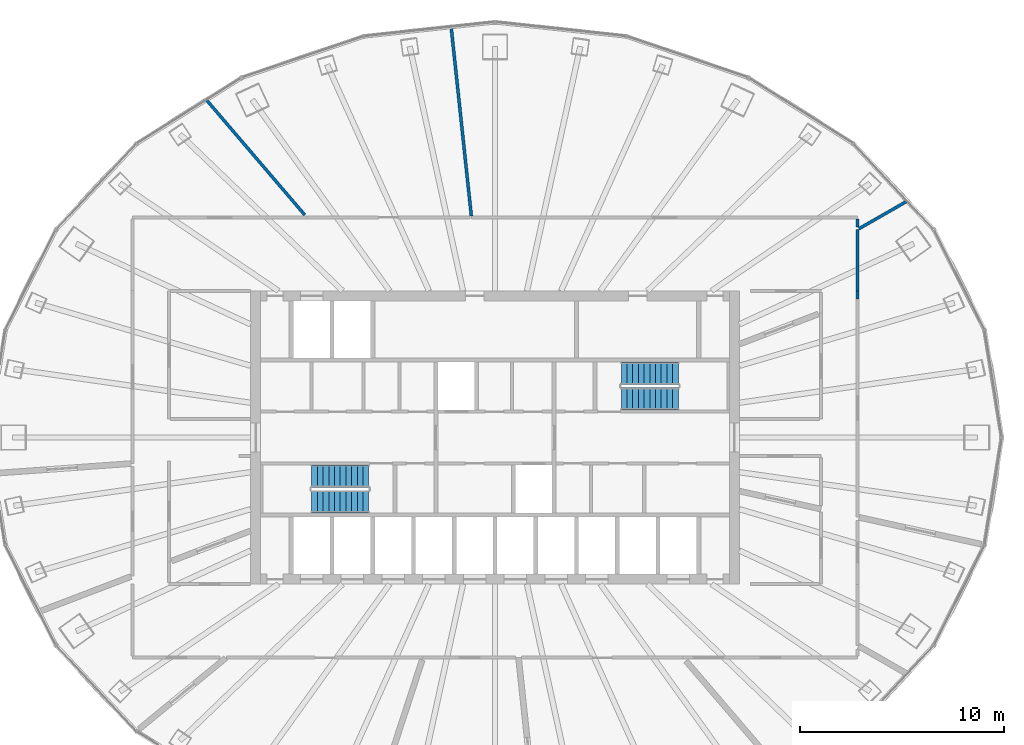
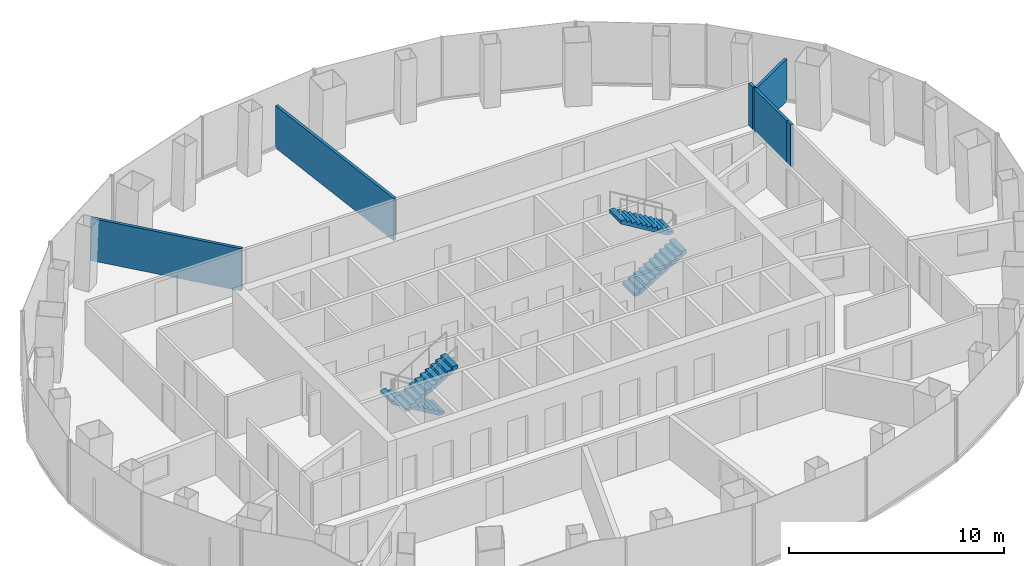
# One storey, part 11 of 12: 6 walls, 4 stair flights, 2 elements without a shape of their own.
"""IFC4 building model written with IfcOpenShell, lengths in metres."""

import ifcopenshell
import ifcopenshell.guid

model = None  # the IFC model being written
_history = None  # IfcOwnerHistory: only IFC2X3 demands one
_inside = {}  # id of a spatial element -> (the spatial element, [elements in it])
_under = {}  # id of a project, library or spatial element -> (it, [spatial elements below it])
_declared = {}  # id of a project -> (the project, [libraries it declares])
_typed = {}  # id of a type object -> (the type object, [elements of that type])
_made_of = {}  # id of a material, layer set ... -> (it, [elements and type objects made of it])


def new_model(schema):
    """Start an empty IFC model of exactly this schema.

    Asked for "IFC4X3", IfcOpenShell would pick the latest addendum, in which some entities
    have other attributes; the version numbers below select the first issue.
    IFC2X3 requires an IfcOwnerHistory on every rooted entity: one is made here for all.
    """
    global model, _history
    if schema == "IFC4X3":
        model = ifcopenshell.file(schema_version=(4, 3, 0, 0))
    else:
        model = ifcopenshell.file(schema=schema)
    _inside.clear()
    _under.clear()
    _declared.clear()
    _typed.clear()
    _made_of.clear()
    _history = None
    if model.schema == "IFC2X3":
        org = make("IfcOrganization", Name="unknown")
        user = make(
            "IfcPersonAndOrganization",
            ThePerson=make("IfcPerson", FamilyName="unknown"),
            TheOrganization=org,
        )
        app = make(
            "IfcApplication",
            ApplicationDeveloper=org,
            Version="unknown",
            ApplicationFullName="unknown",
            ApplicationIdentifier="unknown",
        )
        _history = make(
            "IfcOwnerHistory",
            OwningUser=user,
            OwningApplication=app,
            ChangeAction="ADDED",
            CreationDate=0,
        )
    return model


def make(cls, **values):
    """One entity of the class cls with the attributes given. An attribute that is None is left unset."""
    return model.create_entity(
        cls, **{name: value for name, value in values.items() if value is not None}
    )


def rooted(cls, **values):
    """An entity with a GlobalId (a new one), such as an element, a storey or a relation."""
    return make(cls, GlobalId=ifcopenshell.guid.new(), OwnerHistory=_history, **values)


def si_unit(unit_type, name, prefix=None):
    """IfcSIUnit, for example si_unit("LENGTHUNIT", "METRE", prefix="MILLI")."""
    return make("IfcSIUnit", UnitType=unit_type, Prefix=prefix, Name=name)


def assignment(units):
    """IfcUnitAssignment: the units of a project."""
    return None if units is None else make("IfcUnitAssignment", Units=units)


def point(xyz):
    """IfcCartesianPoint."""
    return None if xyz is None else make("IfcCartesianPoint", Coordinates=xyz)


def direction(xyz):
    """IfcDirection."""
    return None if xyz is None else make("IfcDirection", DirectionRatios=xyz)


def frame(location, z_axis=None, x_axis=None):
    """IfcAxis2Placement3D, a coordinate frame: its origin and axes. An axis left out is left unset."""
    return make(
        "IfcAxis2Placement3D",
        Location=point(location),
        Axis=direction(z_axis),
        RefDirection=direction(x_axis),
    )


def frame_2d(location, x_axis=None):
    """IfcAxis2Placement2D, a coordinate frame in the plane: its origin and x axis."""
    return make(
        "IfcAxis2Placement2D", Location=point(location), RefDirection=direction(x_axis)
    )


def origin():
    """The frame at (0, 0, 0) with its axes left unset."""
    return frame((0.0, 0.0, 0.0))


def place(relative_to, where):
    """IfcLocalPlacement: puts the frame where relative to a parent placement (None: the world)."""
    return make(
        "IfcLocalPlacement", PlacementRelTo=relative_to, RelativePlacement=where
    )


def context(
    kind, dimensions, precision=None, world=None, true_north=None, identifier=None
):
    """IfcGeometricRepresentationContext, for example the 3D "Model" context."""
    return make(
        "IfcGeometricRepresentationContext",
        ContextIdentifier=identifier,
        ContextType=kind,
        CoordinateSpaceDimension=dimensions,
        Precision=precision,
        WorldCoordinateSystem=world,
        TrueNorth=true_north,
    )


def subcontext(parent, identifier, kind, view, scale=None):
    """IfcGeometricRepresentationSubContext, for example "Body" below "Model"."""
    return make(
        "IfcGeometricRepresentationSubContext",
        ContextIdentifier=identifier,
        ContextType=kind,
        ParentContext=parent,
        TargetScale=scale,
        TargetView=view,
    )


def project(units=None, contexts=None):
    """IfcProject with its units and contexts."""
    return rooted(
        "IfcProject",
        Name="project",
        RepresentationContexts=contexts,
        UnitsInContext=assignment(units),
    )


def spatial(cls, under=None, at=None, **own):
    """A site, building, storey or space (cls), placed at a placement, below another one or the project."""
    s = rooted(cls, ObjectPlacement=at, **own)
    if under is not None:
        _under.setdefault(under.id(), (under, []))[1].append(s)
    return s


def polyline(points):
    """IfcPolyline through the points."""
    return make("IfcPolyline", Points=[point(p) for p in points])


def profile(cls, at=None, kind="AREA", **sizes):
    """A parametric profile (cls). Its sizes go by their IFC names, for example OverallWidth=200.0."""
    return make(cls, ProfileType=kind, Position=at, **sizes)


def rectangle(**sizes):
    """IfcRectangleProfileDef."""
    return profile("IfcRectangleProfileDef", **sizes)


def outline(outer, holes=None, kind="AREA"):
    """IfcArbitraryClosedProfileDef: a profile drawn as a closed curve; with holes, ...WithVoids."""
    if holes is None:
        return make("IfcArbitraryClosedProfileDef", ProfileType=kind, OuterCurve=outer)
    return make(
        "IfcArbitraryProfileDefWithVoids",
        ProfileType=kind,
        OuterCurve=outer,
        InnerCurves=holes,
    )


def extrude(swept, where, along, depth):
    """IfcExtrudedAreaSolid: the profile swept, set in the frame where, extruded along a direction by depth."""
    return make(
        "IfcExtrudedAreaSolid",
        SweptArea=swept,
        Position=where,
        ExtrudedDirection=direction(along),
        Depth=depth,
    )


def shape(context_of_items, identifier, shape_type, items):
    """IfcShapeRepresentation: the items that make up one representation, for example the "Body"."""
    return make(
        "IfcShapeRepresentation",
        ContextOfItems=context_of_items,
        RepresentationIdentifier=identifier,
        RepresentationType=shape_type,
        Items=items,
    )


def material(Name=None, Category=None):
    """IfcMaterial."""
    return make("IfcMaterial", Name=Name, Category=Category)


def layer(
    of_material, thickness, ventilated=None, Name=None, Category=None, Priority=None
):
    """IfcMaterialLayer: one layer of a wall or slab, of a material (None: an air gap)."""
    return make(
        "IfcMaterialLayer",
        Material=of_material,
        LayerThickness=thickness,
        IsVentilated=ventilated,
        Name=Name,
        Category=Category,
        Priority=Priority,
    )


def layer_set(layers, Name=None):
    """IfcMaterialLayerSet."""
    return make("IfcMaterialLayerSet", MaterialLayers=layers, LayerSetName=Name)


def made_of(thing, what):
    """Note that an element or type object is made of a material, layer set ...; save() writes the relation."""
    if what is not None:
        _made_of.setdefault(what.id(), (what, []))[1].append(thing)
    return thing


def type_object(cls, material=None, **own):
    """A type object (cls), such as IfcWallType, which elements share."""
    return made_of(rooted(cls, **own), material)


def element(
    cls,
    number,
    at=None,
    inside=None,
    cuts=None,
    type_object=None,
    material=None,
    context=None,
    identifier="Body",
    shape_type=None,
    held_by="IfcProductDefinitionShape",
    body=None,
    shapes=None,
    **own,
):
    """One element of the class cls, such as IfcWall. Its Tag is "e" and its number.

    at: its placement. inside: the storey or other place that contains it. cuts: it is an
    opening in that element (IfcRelVoidsElement). A single representation is given by context,
    identifier, shape_type and body (its items); several are given by shapes. held_by: the class
    of the entity that holds the representations. save() writes the other relations.
    """
    e = rooted(cls, Tag="e%d" % number, ObjectPlacement=at, **own)
    if body is not None:
        shapes = [shape(context, identifier, shape_type, body)]
    if shapes is not None:
        e.Representation = make(held_by, Representations=shapes)
    if inside is not None:
        _inside.setdefault(inside.id(), (inside, []))[1].append(e)
    if cuts is not None:
        rooted(
            "IfcRelVoidsElement", RelatingBuildingElement=cuts, RelatedOpeningElement=e
        )
    if type_object is not None:
        _typed.setdefault(type_object.id(), (type_object, []))[1].append(e)
    return made_of(e, material)


def aggregate(whole, parts):
    """IfcRelAggregates: a whole, such as a stair, and the parts it consists of."""
    return rooted("IfcRelAggregates", RelatingObject=whole, RelatedObjects=parts)


def save(model, path):
    """Write the relations noted so far, then the file.

    IfcRelAggregates (storeys below a building ...), IfcRelContainedInSpatialStructure (elements
    in a storey), IfcRelDefinesByType, IfcRelAssociatesMaterial and IfcRelDeclares: one each for
    every whole, place, type object, material and project.
    """
    for whole, parts in _under.values():
        aggregate(whole, parts)
    for where, things in _inside.values():
        rooted(
            "IfcRelContainedInSpatialStructure",
            RelatedElements=things,
            RelatingStructure=where,
        )
    for kind, things in _typed.values():
        rooted("IfcRelDefinesByType", RelatedObjects=things, RelatingType=kind)
    for what, things in _made_of.values():
        rooted("IfcRelAssociatesMaterial", RelatedObjects=things, RelatingMaterial=what)
    for by, libraries in _declared.values():
        rooted("IfcRelDeclares", RelatingContext=by, RelatedDefinitions=libraries)
    model.write(path)


model = new_model("IFC4")

# Units and contexts
model_context = context("Model", 3, precision=1e-05, world=origin(), true_north=direction((0.0, 1.0)))
body_context = subcontext(model_context, "Body", "Model", "MODEL_VIEW")
ifc_project = project(units=[si_unit("LENGTHUNIT", "METRE"), si_unit("AREAUNIT", "SQUARE_METRE"), si_unit("VOLUMEUNIT", "CUBIC_METRE"), si_unit("PLANEANGLEUNIT", "RADIAN"), si_unit("MASSUNIT", "GRAM", prefix="KILO")], contexts=[model_context])

# Site, building, storey
site_placement = place(None, origin())
site = spatial("IfcSite", under=ifc_project, at=site_placement, CompositionType="ELEMENT")
building_placement = place(site_placement, origin())
building = spatial("IfcBuilding", under=site, at=building_placement, Name="Siaravel Broadcast Tower", CompositionType="ELEMENT")
storey_placement = place(building_placement, frame((0.0, 0.0, 137.800048828125)))
storey = spatial("IfcBuildingStorey", under=building, at=storey_placement, Name="L33", CompositionType="ELEMENT", Elevation=137.800048828125)

# Walls
ifc_material_1 = material(Name="Gypsum board partition", Category="gypsum")
ifc_layer_1 = layer(ifc_material_1, 0.14990234375)
ifc_layer_set_1 = layer_set([ifc_layer_1], Name="Gypsum board partition")
wall_type_1 = type_object("IfcWallType", Name="Corridor wall 150", PredefinedType="PARTITIONING", material=ifc_layer_set_1)
wall_1_placement = place(storey_placement, frame((17.800048828125, 7.18798828125, 0.0), z_axis=(0.0, 0.0, 1.0), x_axis=(0.0, 1.0, 0.0)))
element("IfcWall", 1, at=wall_1_placement, inside=storey, type_object=wall_type_1, Name="L33 partition 39", PredefinedType="PARTITIONING", context=body_context, shape_type="SweptSolid", body=[
    extrude(rectangle(XDim=3.021240234375, YDim=0.14990234375, at=frame_2d((1.5107421875, 0.0))), origin(), (0.0, 0.0, 1.0), 2.39990234375),
])
wall_2_placement = place(storey_placement, frame((17.800048828125, 10.3408203125, 0.0), z_axis=(0.0, 0.0, 1.0), x_axis=(0.0, 1.0, 0.0)))
element("IfcWall", 2, at=wall_2_placement, inside=storey, type_object=wall_type_1, Name="L33 partition 46", PredefinedType="PARTITIONING", context=body_context, shape_type="SweptSolid", body=[
    extrude(rectangle(XDim=0.382080078125, YDim=0.14990234375, at=frame_2d((0.19091796875, 0.0))), origin(), (0.0, 0.0, 1.0), 2.39990234375),
])
wall_3_placement = place(storey_placement, frame((17.800048828125, 6.798828125, 0.0), z_axis=(0.0, 0.0, 1.0), x_axis=(0.0, 1.0, 0.0)))
element("IfcWall", 3, at=wall_3_placement, inside=storey, type_object=wall_type_1, Name="L33 partition 48", PredefinedType="PARTITIONING", context=body_context, shape_type="SweptSolid", body=[
    extrude(rectangle(XDim=0.38818359375, YDim=0.14990234375, at=frame_2d((0.194091796875, 0.0))), origin(), (0.0, 0.0, 1.0), 2.39990234375),
])
ifc_layer_2 = layer(ifc_material_1, 0.14990234375)
ifc_layer_set_2 = layer_set([ifc_layer_2], Name="Gypsum board partition")
wall_type_2 = type_object("IfcWallType", Name="Room partition 150", PredefinedType="PARTITIONING", material=ifc_layer_set_2)
wall_4_placement = place(storey_placement, frame((-2.152099609375, 20.147705078125, 0.0), z_axis=(0.0, 0.0, 1.0), x_axis=(0.106226181, -0.994341993, 0.0)))
element("IfcWall", 4, at=wall_4_placement, inside=storey, type_object=wall_type_2, Name="L33 partition 4", PredefinedType="PARTITIONING", context=body_context, shape_type="SweptSolid", body=[
    extrude(rectangle(XDim=9.32421875, YDim=0.14990234375, at=frame_2d((4.662109375, 0.0))), origin(), (0.0, 0.0, 1.0), 2.39990234375),
])
wall_5_placement = place(storey_placement, frame((-14.1669921875, 16.572998046875, 0.0), z_axis=(0.0, 0.0, 1.0), x_axis=(0.64976247, -0.760137312, 0.0)))
element("IfcWall", 5, at=wall_5_placement, inside=storey, type_object=wall_type_2, Name="L33 partition 12", PredefinedType="PARTITIONING", context=body_context, shape_type="SweptSolid", body=[
    extrude(rectangle(XDim=7.429931640625, YDim=0.14990234375, at=frame_2d((3.71484375, 0.0))), origin(), (0.0, 0.0, 1.0), 2.39990234375),
])
wall_6_placement = place(storey_placement, frame((17.858154296875, 10.24267578125, 0.0), z_axis=(0.0, 0.0, 1.0), x_axis=(0.867454205, 0.497517037, 0.0)))
element("IfcWall", 6, at=wall_6_placement, inside=storey, type_object=wall_type_2, Name="L33 partition 40", PredefinedType="PARTITIONING", context=body_context, shape_type="SweptSolid", body=[
    extrude(rectangle(XDim=2.74609375, YDim=0.14990234375, at=frame_2d((1.373046875, 0.0))), origin(), (0.0, 0.0, 1.0), 2.39990234375),
])

# Stair, stair flights
ifc_material_2 = material(Name="Concrete C40/50", Category="concrete")
stair_type = type_object("IfcStairType", Name="Core exit stair", PredefinedType="HALF_TURN_STAIR", material=ifc_material_2)
stair_1_placement = place(storey_placement, origin())
stair_1 = element("IfcStair", 7, at=stair_1_placement, inside=storey, type_object=stair_type, Name="L33 Exit stair ST-1", PredefinedType="HALF_TURN_STAIR")
stair_flight_type = type_object("IfcStairFlightType", Name="Stair flight 1100", PredefinedType="STRAIGHT", material=ifc_material_2)
stair_flight_1_placement = place(storey_placement, frame((-6.199951171875, -1.89990234375, 0.0), z_axis=(0.0, 0.0, 1.0), x_axis=(-1.0, 0.0, 0.0)))
stair_flight_1 = element("IfcStairFlight", 8, at=stair_flight_1_placement, type_object=stair_flight_type, Name="ST-1 flight 1", NumberOfRisers=11, NumberOfTreads=10, PredefinedType="STRAIGHT", RiserHeight=0.1681818, TreadLength=0.28, context=body_context, shape_type="SweptSolid", body=[
    extrude(outline(polyline([(0.0, 0.0), (0.0, 0.168212890625), (0.280029296875, 0.168212890625), (0.280029296875, 0.33642578125), (0.56005859375, 0.33642578125), (0.56005859375, 0.504638671875), (0.840087890625, 0.504638671875), (0.840087890625, 0.672607421875), (1.1201171875, 0.672607421875), (1.1201171875, 0.8408203125), (1.39990234375, 0.8408203125), (1.39990234375, 1.009033203125), (1.679931640625, 1.009033203125), (1.679931640625, 1.17724609375), (1.9599609375, 1.17724609375), (1.9599609375, 1.345458984375), (2.239990234375, 1.345458984375), (2.239990234375, 1.513671875), (2.52001953125, 1.513671875), (2.52001953125, 1.681884765625), (2.800048828125, 1.681884765625), (2.800048828125, 1.85009765625), (2.800048828125, 1.5068359375), (0.291015625, 0.0), (0.0, 0.0)])), frame((0.0, 0.550048828125, 0.0), z_axis=(0.0, -1.0, 0.0), x_axis=(1.0, 0.0, 0.0)), (0.0, 0.0, 1.0), 1.10009765625),
])
stair_flight_2_placement = place(storey_placement, frame((-9.0, -3.14990234375, 1.849853515625), z_axis=(0.0, 0.0, 1.0), x_axis=(1.0, 0.0, 0.0)))
stair_flight_2 = element("IfcStairFlight", 9, at=stair_flight_2_placement, type_object=stair_flight_type, Name="ST-1 flight 2", NumberOfRisers=11, NumberOfTreads=10, PredefinedType="STRAIGHT", RiserHeight=0.1681818, TreadLength=0.28, context=body_context, shape_type="SweptSolid", body=[
    extrude(outline(polyline([(0.0, 0.0), (0.0, 0.168212890625), (0.280029296875, 0.168212890625), (0.280029296875, 0.33642578125), (0.56005859375, 0.33642578125), (0.56005859375, 0.504638671875), (0.840087890625, 0.504638671875), (0.840087890625, 0.672607421875), (1.1201171875, 0.672607421875), (1.1201171875, 0.8408203125), (1.39990234375, 0.8408203125), (1.39990234375, 1.009033203125), (1.679931640625, 1.009033203125), (1.679931640625, 1.17724609375), (1.9599609375, 1.17724609375), (1.9599609375, 1.345458984375), (2.239990234375, 1.345458984375), (2.239990234375, 1.513671875), (2.52001953125, 1.513671875), (2.52001953125, 1.681884765625), (2.800048828125, 1.681884765625), (2.800048828125, 1.85009765625), (2.800048828125, 1.5068359375), (0.291015625, 0.0), (0.0, 0.0)])), frame((0.0, 0.550048828125, 0.0), z_axis=(0.0, -1.0, 0.0), x_axis=(1.0, 0.0, 0.0)), (0.0, 0.0, 1.0), 1.10009765625),
])
aggregate(stair_1, [stair_flight_1, stair_flight_2])

stair_2_placement = place(storey_placement, origin())
stair_2 = element("IfcStair", 10, at=stair_2_placement, inside=storey, type_object=stair_type, Name="L33 Exit stair ST-2", PredefinedType="HALF_TURN_STAIR")
stair_flight_3_placement = place(storey_placement, frame((6.199951171875, 1.89990234375, 0.0), z_axis=(0.0, 0.0, 1.0), x_axis=(1.0, 0.0, 0.0)))
stair_flight_3 = element("IfcStairFlight", 11, at=stair_flight_3_placement, type_object=stair_flight_type, Name="ST-2 flight 1", NumberOfRisers=11, NumberOfTreads=10, PredefinedType="STRAIGHT", RiserHeight=0.1681818, TreadLength=0.28, context=body_context, shape_type="SweptSolid", body=[
    extrude(outline(polyline([(0.0, 0.0), (0.0, 0.168212890625), (0.280029296875, 0.168212890625), (0.280029296875, 0.33642578125), (0.56005859375, 0.33642578125), (0.56005859375, 0.504638671875), (0.840087890625, 0.504638671875), (0.840087890625, 0.672607421875), (1.1201171875, 0.672607421875), (1.1201171875, 0.8408203125), (1.39990234375, 0.8408203125), (1.39990234375, 1.009033203125), (1.679931640625, 1.009033203125), (1.679931640625, 1.17724609375), (1.9599609375, 1.17724609375), (1.9599609375, 1.345458984375), (2.239990234375, 1.345458984375), (2.239990234375, 1.513671875), (2.52001953125, 1.513671875), (2.52001953125, 1.681884765625), (2.800048828125, 1.681884765625), (2.800048828125, 1.85009765625), (2.800048828125, 1.5068359375), (0.291015625, 0.0), (0.0, 0.0)])), frame((0.0, 0.550048828125, 0.0), z_axis=(0.0, -1.0, 0.0), x_axis=(1.0, 0.0, 0.0)), (0.0, 0.0, 1.0), 1.10009765625),
])
stair_flight_4_placement = place(storey_placement, frame((9.0, 3.14990234375, 1.849853515625), z_axis=(0.0, 0.0, 1.0), x_axis=(-1.0, 0.0, 0.0)))
stair_flight_4 = element("IfcStairFlight", 12, at=stair_flight_4_placement, type_object=stair_flight_type, Name="ST-2 flight 2", NumberOfRisers=11, NumberOfTreads=10, PredefinedType="STRAIGHT", RiserHeight=0.1681818, TreadLength=0.28, context=body_context, shape_type="SweptSolid", body=[
    extrude(outline(polyline([(0.0, 0.0), (0.0, 0.168212890625), (0.280029296875, 0.168212890625), (0.280029296875, 0.33642578125), (0.56005859375, 0.33642578125), (0.56005859375, 0.504638671875), (0.840087890625, 0.504638671875), (0.840087890625, 0.672607421875), (1.1201171875, 0.672607421875), (1.1201171875, 0.8408203125), (1.39990234375, 0.8408203125), (1.39990234375, 1.009033203125), (1.679931640625, 1.009033203125), (1.679931640625, 1.17724609375), (1.9599609375, 1.17724609375), (1.9599609375, 1.345458984375), (2.239990234375, 1.345458984375), (2.239990234375, 1.513671875), (2.52001953125, 1.513671875), (2.52001953125, 1.681884765625), (2.800048828125, 1.681884765625), (2.800048828125, 1.85009765625), (2.800048828125, 1.5068359375), (0.291015625, 0.0), (0.0, 0.0)])), frame((0.0, 0.550048828125, 0.0), z_axis=(0.0, -1.0, 0.0), x_axis=(1.0, 0.0, 0.0)), (0.0, 0.0, 1.0), 1.10009765625),
])
aggregate(stair_2, [stair_flight_3, stair_flight_4])

save(model, "model.ifc")
